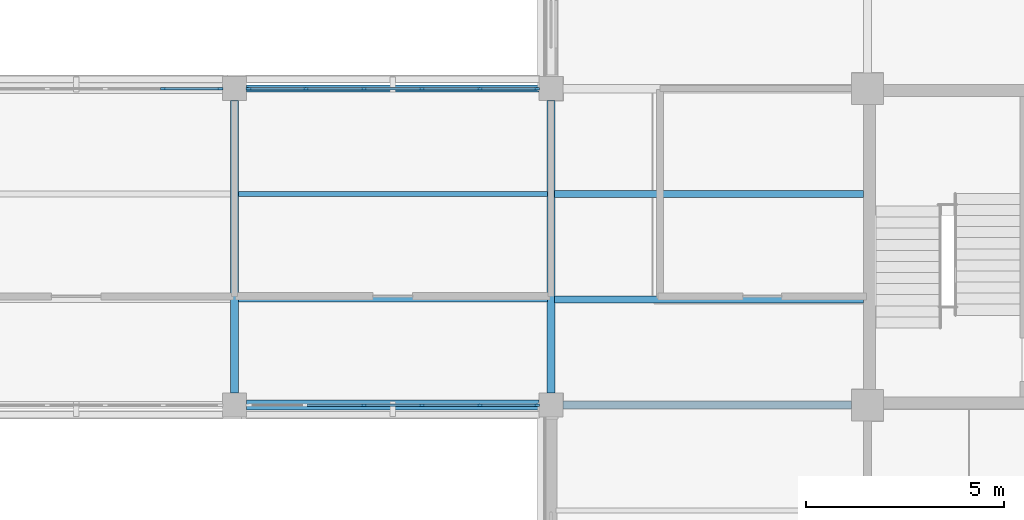
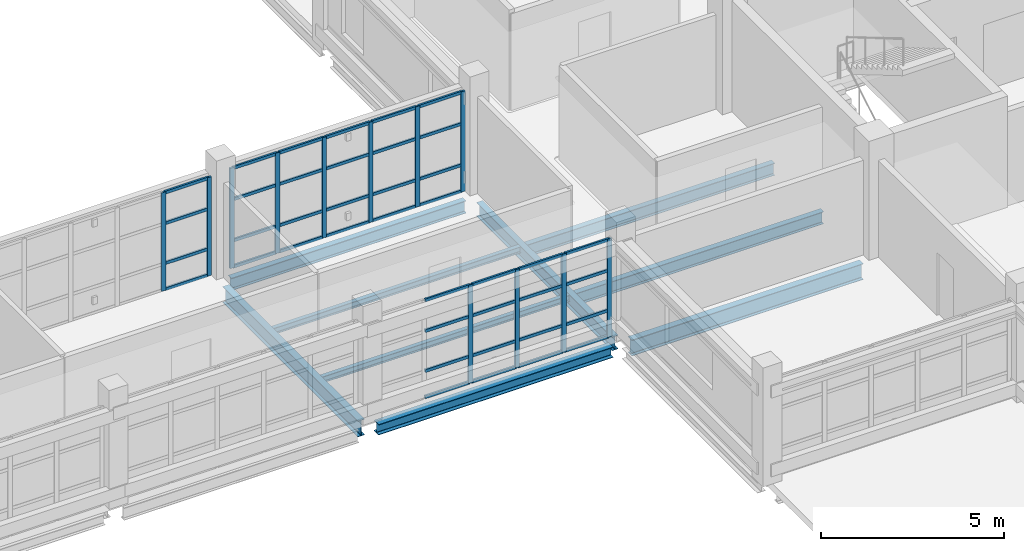
# One storey, part 21 of 126: 52 members, 9 beams, 3 elements without a shape of their own.
"""IFC4 building model written with IfcOpenShell, lengths in metres."""

from ifc_helpers import new_model, si_unit, derived_unit, direction, frame, origin, origin_2d, place, context, subcontext, project, spatial, rectangle, i_section, extrude, material, layer, layer_set, material_profile, profile_set, type_object, element, aggregate, save


model = new_model("IFC4")

# Units and contexts
model_context = context("Model", 3, precision=1e-05, world=origin(), true_north=direction((0.0, 1.0)))
body_context = subcontext(model_context, "Body", "Model", "MODEL_VIEW")
ifc_project = project(units=[si_unit("LENGTHUNIT", "METRE"), si_unit("AREAUNIT", "SQUARE_METRE"), si_unit("VOLUMEUNIT", "CUBIC_METRE"), si_unit("PLANEANGLEUNIT", "RADIAN"), si_unit("MASSUNIT", "GRAM", prefix="KILO"), derived_unit("THERMALTRANSMITTANCEUNIT", [(si_unit("MASSUNIT", "GRAM", prefix="KILO"), 1), (si_unit("TIMEUNIT", "SECOND"), -3), (si_unit("THERMODYNAMICTEMPERATUREUNIT", "KELVIN"), -1)])], contexts=[model_context])

# Site, building, storey
site_placement = place(None, origin())
site = spatial("IfcSite", under=ifc_project, at=site_placement, CompositionType="ELEMENT")
building_placement = place(site_placement, origin())
building = spatial("IfcBuilding", under=site, at=building_placement, Name="Veyamyaing Civic Hall", CompositionType="ELEMENT")
storey_placement = place(building_placement, frame((0.0, 0.0, 9.89990234375)))
storey = spatial("IfcBuildingStorey", under=building, at=storey_placement, Name="L02", CompositionType="ELEMENT", Elevation=9.89990234375)

# Beams
ifc_material_1 = material(Name="Steel ASTM A992", Category="steel")
ifc_material_profile_1 = material_profile(ifc_material_1, i_section(OverallWidth=0.208984375, OverallDepth=0.532958984375, WebThickness=0.01025390625, FlangeThickness=0.015625, FilletRadius=0.011962890625, at=origin_2d()), Name="W530X92")
ifc_profile_set_1 = profile_set([ifc_material_profile_1], Name="Steel ASTM A992")
beam_type_1 = type_object("IfcBeamType", Name="B-07", PredefinedType="BEAM", material=ifc_profile_set_1)
beam_1_placement = place(storey_placement, frame((56.300048828125, 48.0, -0.551513671875), z_axis=(1.0, 0.0, 0.0), x_axis=(0.0, 1.0, 0.0)))
element("IfcBeam", 1, at=beam_1_placement, inside=storey, type_object=beam_type_1, Name="Girder B-07 L02 Grid G 8-9", PredefinedType="BEAM", context=body_context, shape_type="SweptSolid", body=[
    extrude(i_section(OverallWidth=0.208984375, OverallDepth=0.532958984375, WebThickness=0.01025390625, FlangeThickness=0.015625, FilletRadius=0.011962890625, at=origin_2d()), origin(), (0.0, 0.0, 1.0), 7.300048828125),
])
beam_2_placement = place(storey_placement, frame((48.0, 48.300048828125, -0.551513671875), z_axis=(0.0, 1.0, 0.0), x_axis=(-1.0, 0.0, 0.0)))
element("IfcBeam", 2, at=beam_2_placement, inside=storey, type_object=beam_type_1, Name="Girder B-07 L02 Grid 7 G-H", PredefinedType="BEAM", context=body_context, shape_type="SweptSolid", body=[
    extrude(i_section(OverallWidth=0.208984375, OverallDepth=0.532958984375, WebThickness=0.01025390625, FlangeThickness=0.015625, FilletRadius=0.011962890625, at=origin_2d()), origin(), (0.0, 0.0, 1.0), 7.39990234375),
])
ifc_material_profile_2 = material_profile(ifc_material_1, i_section(OverallWidth=0.19189453125, OverallDepth=0.462890625, WebThickness=0.010498046875, FlangeThickness=0.017578125, FilletRadius=0.010009765625, at=origin_2d()), Name="W460X89")
ifc_profile_set_2 = profile_set([ifc_material_profile_2], Name="Steel ASTM A992")
beam_type_2 = type_object("IfcBeamType", Name="B-08", PredefinedType="BEAM", material=ifc_profile_set_2)
beam_3_placement = place(storey_placement, frame((56.0, 48.300048828125, -0.516357421875), z_axis=(0.0, 1.0, 0.0), x_axis=(-1.0, 0.0, 0.0)))
element("IfcBeam", 3, at=beam_3_placement, inside=storey, type_object=beam_type_2, Name="Girder B-08 L02 Grid 8 G-H", PredefinedType="BEAM", context=body_context, shape_type="SweptSolid", body=[
    extrude(i_section(OverallWidth=0.19189453125, OverallDepth=0.462890625, WebThickness=0.010498046875, FlangeThickness=0.017578125, FilletRadius=0.010009765625, at=origin_2d()), origin(), (0.0, 0.0, 1.0), 7.39990234375),
])
ifc_material_profile_3 = material_profile(ifc_material_1, i_section(OverallWidth=0.179931640625, OverallDepth=0.4130859375, WebThickness=0.009765625, FlangeThickness=0.01611328125, FilletRadius=0.010009765625, at=origin_2d()), Name="W410X74")
ifc_profile_set_3 = profile_set([ifc_material_profile_3], Name="Steel ASTM A992")
beam_type_3 = type_object("IfcBeamType", Name="B-10", PredefinedType="SPANDREL", material=ifc_profile_set_3)
beam_4_placement = place(storey_placement, frame((48.300048828125, 56.0, -0.491455078125), z_axis=(1.0, 0.0, 0.0), x_axis=(0.0, 1.0, 0.0)))
element("IfcBeam", 4, at=beam_4_placement, inside=storey, type_object=beam_type_3, Name="Girder B-10 L02 Grid H 7-8", PredefinedType="SPANDREL", context=body_context, shape_type="SweptSolid", body=[
    extrude(i_section(OverallWidth=0.179931640625, OverallDepth=0.4130859375, WebThickness=0.009765625, FlangeThickness=0.01611328125, FilletRadius=0.010009765625, at=origin_2d()), origin(), (0.0, 0.0, 1.0), 7.39990234375),
])
ifc_material_profile_4 = material_profile(ifc_material_1, i_section(OverallWidth=0.25390625, OverallDepth=0.35302734375, WebThickness=0.009521484375, FlangeThickness=0.016357421875, FilletRadius=0.011962890625, at=origin_2d()), Name="W360X91")
ifc_profile_set_4 = profile_set([ifc_material_profile_4], Name="Steel ASTM A992")
beam_type_4 = type_object("IfcBeamType", Name="B-20", PredefinedType="SPANDREL", material=ifc_profile_set_4)
beam_5_placement = place(storey_placement, frame((48.300048828125, 48.0, -0.46142578125), z_axis=(1.0, 0.0, 0.0), x_axis=(0.0, 1.0, 0.0)))
element("IfcBeam", 5, at=beam_5_placement, inside=storey, type_object=beam_type_4, Name="Girder B-20 L02 Grid G 7-8", PredefinedType="SPANDREL", context=body_context, shape_type="SweptSolid", body=[
    extrude(i_section(OverallWidth=0.25390625, OverallDepth=0.35302734375, WebThickness=0.009521484375, FlangeThickness=0.016357421875, FilletRadius=0.011962890625, at=origin_2d()), origin(), (0.0, 0.0, 1.0), 7.39990234375),
])

# Curtain wall, members
ifc_material_2 = material(Name="Anodised aluminium 6063-T6", Category="aluminium")
ifc_layer = layer(ifc_material_2, 0.139892578125, Name="Anodised aluminium 6063-T6")
ifc_layer_set = layer_set([ifc_layer], Name="Anodised aluminium 6063-T6")
curtain_wall_type = type_object("IfcCurtainWallType", Name="CW-04", PredefinedType="NOTDEFINED", material=ifc_layer_set)
curtain_wall_1_placement = place(storey_placement, origin())
curtain_wall_1 = element("IfcCurtainWall", 6, at=curtain_wall_1_placement, inside=storey, type_object=curtain_wall_type, Name="Unitized curtain wall CW-04 L02 N 6.7", PredefinedType="NOTDEFINED")
ifc_material_profile_5 = material_profile(ifc_material_2, rectangle(XDim=0.06005859375, YDim=0.139892578125, at=origin_2d()), Name="ALU-MUL-60X140")
ifc_profile_set_5 = profile_set([ifc_material_profile_5], Name="Anodised aluminium 6063-T6")
member_type_1 = type_object("IfcMemberType", Name="CWM-03", PredefinedType="MULLION", material=ifc_profile_set_5)
member_1_placement = place(storey_placement, frame((46.201904296875, 56.0, 0.0), z_axis=(0.0, 0.0, 1.0), x_axis=(0.0, 1.0, 0.0)))
member_1 = element("IfcMember", 7, at=member_1_placement, type_object=member_type_1, Name="CW-04 mullion 5", PredefinedType="MULLION", context=body_context, shape_type="SweptSolid", body=[
    extrude(rectangle(XDim=0.06005859375, YDim=0.139892578125, at=origin_2d()), origin(), (0.0, 0.0, 1.0), 3.2841796875),
])
member_2_placement = place(storey_placement, frame((47.639892578125, 56.0, 0.0), z_axis=(0.0, 0.0, 1.0), x_axis=(0.0, 1.0, 0.0)))
member_2 = element("IfcMember", 8, at=member_2_placement, type_object=member_type_1, Name="CW-04 mullion 6", PredefinedType="MULLION", context=body_context, shape_type="SweptSolid", body=[
    extrude(rectangle(XDim=0.06005859375, YDim=0.139892578125, at=origin_2d()), origin(), (0.0, 0.0, 1.0), 3.2841796875),
])

curtain_wall_2_placement = place(storey_placement, origin())
curtain_wall_2 = element("IfcCurtainWall", 9, at=curtain_wall_2_placement, inside=storey, type_object=curtain_wall_type, Name="Unitized curtain wall CW-04 L02 S 7.7", PredefinedType="NOTDEFINED")
member_3_placement = place(storey_placement, frame((51.26611328125, 48.0, 0.0), z_axis=(0.0, 0.0, 1.0), x_axis=(0.0, 1.0, 0.0)))
member_3 = element("IfcMember", 10, at=member_3_placement, type_object=member_type_1, Name="CW-04 mullion 3", PredefinedType="MULLION", context=body_context, shape_type="SweptSolid", body=[
    extrude(rectangle(XDim=0.06005859375, YDim=0.139892578125, at=origin_2d()), origin(), (0.0, 0.0, 1.0), 3.2841796875),
])
member_4_placement = place(storey_placement, frame((52.73388671875, 48.0, 0.0), z_axis=(0.0, 0.0, 1.0), x_axis=(0.0, 1.0, 0.0)))
member_4 = element("IfcMember", 11, at=member_4_placement, type_object=member_type_1, Name="CW-04 mullion 4", PredefinedType="MULLION", context=body_context, shape_type="SweptSolid", body=[
    extrude(rectangle(XDim=0.06005859375, YDim=0.139892578125, at=origin_2d()), origin(), (0.0, 0.0, 1.0), 3.2841796875),
])
member_5_placement = place(storey_placement, frame((54.201904296875, 48.0, 0.0), z_axis=(0.0, 0.0, 1.0), x_axis=(0.0, 1.0, 0.0)))
member_5 = element("IfcMember", 12, at=member_5_placement, type_object=member_type_1, Name="CW-04 mullion 5", PredefinedType="MULLION", context=body_context, shape_type="SweptSolid", body=[
    extrude(rectangle(XDim=0.06005859375, YDim=0.139892578125, at=origin_2d()), origin(), (0.0, 0.0, 1.0), 3.2841796875),
])
member_6_placement = place(storey_placement, frame((55.639892578125, 48.0, 0.0), z_axis=(0.0, 0.0, 1.0), x_axis=(0.0, 1.0, 0.0)))
member_6 = element("IfcMember", 13, at=member_6_placement, type_object=member_type_1, Name="CW-04 mullion 6", PredefinedType="MULLION", context=body_context, shape_type="SweptSolid", body=[
    extrude(rectangle(XDim=0.06005859375, YDim=0.139892578125, at=origin_2d()), origin(), (0.0, 0.0, 1.0), 3.2841796875),
])

curtain_wall_3_placement = place(storey_placement, origin())
curtain_wall_3 = element("IfcCurtainWall", 14, at=curtain_wall_3_placement, inside=storey, type_object=curtain_wall_type, Name="Unitized curtain wall CW-04 L02 N 7.7", PredefinedType="NOTDEFINED")
member_7_placement = place(storey_placement, frame((48.360107421875, 56.0, 0.0), z_axis=(0.0, 0.0, 1.0), x_axis=(0.0, 1.0, 0.0)))
member_7 = element("IfcMember", 15, at=member_7_placement, type_object=member_type_1, Name="CW-04 mullion 1", PredefinedType="MULLION", context=body_context, shape_type="SweptSolid", body=[
    extrude(rectangle(XDim=0.06005859375, YDim=0.139892578125, at=origin_2d()), origin(), (0.0, 0.0, 1.0), 3.34716796875),
])
member_8_placement = place(storey_placement, frame((49.798095703125, 56.0, 0.0), z_axis=(0.0, 0.0, 1.0), x_axis=(0.0, 1.0, 0.0)))
member_8 = element("IfcMember", 16, at=member_8_placement, type_object=member_type_1, Name="CW-04 mullion 2", PredefinedType="MULLION", context=body_context, shape_type="SweptSolid", body=[
    extrude(rectangle(XDim=0.06005859375, YDim=0.139892578125, at=origin_2d()), origin(), (0.0, 0.0, 1.0), 3.34716796875),
])
member_9_placement = place(storey_placement, frame((51.26611328125, 56.0, 0.0), z_axis=(0.0, 0.0, 1.0), x_axis=(0.0, 1.0, 0.0)))
member_9 = element("IfcMember", 17, at=member_9_placement, type_object=member_type_1, Name="CW-04 mullion 3", PredefinedType="MULLION", context=body_context, shape_type="SweptSolid", body=[
    extrude(rectangle(XDim=0.06005859375, YDim=0.139892578125, at=origin_2d()), origin(), (0.0, 0.0, 1.0), 3.34716796875),
])
member_10_placement = place(storey_placement, frame((52.73388671875, 56.0, 0.0), z_axis=(0.0, 0.0, 1.0), x_axis=(0.0, 1.0, 0.0)))
member_10 = element("IfcMember", 18, at=member_10_placement, type_object=member_type_1, Name="CW-04 mullion 4", PredefinedType="MULLION", context=body_context, shape_type="SweptSolid", body=[
    extrude(rectangle(XDim=0.06005859375, YDim=0.139892578125, at=origin_2d()), origin(), (0.0, 0.0, 1.0), 3.34716796875),
])
member_11_placement = place(storey_placement, frame((54.201904296875, 56.0, 0.0), z_axis=(0.0, 0.0, 1.0), x_axis=(0.0, 1.0, 0.0)))
member_11 = element("IfcMember", 19, at=member_11_placement, type_object=member_type_1, Name="CW-04 mullion 5", PredefinedType="MULLION", context=body_context, shape_type="SweptSolid", body=[
    extrude(rectangle(XDim=0.06005859375, YDim=0.139892578125, at=origin_2d()), origin(), (0.0, 0.0, 1.0), 3.34716796875),
])
member_12_placement = place(storey_placement, frame((55.639892578125, 56.0, 0.0), z_axis=(0.0, 0.0, 1.0), x_axis=(0.0, 1.0, 0.0)))
member_12 = element("IfcMember", 20, at=member_12_placement, type_object=member_type_1, Name="CW-04 mullion 6", PredefinedType="MULLION", context=body_context, shape_type="SweptSolid", body=[
    extrude(rectangle(XDim=0.06005859375, YDim=0.139892578125, at=origin_2d()), origin(), (0.0, 0.0, 1.0), 3.34716796875),
])

# Member
ifc_material_profile_6 = material_profile(ifc_material_2, rectangle(XDim=0.06005859375, YDim=0.10009765625, at=origin_2d()), Name="ALU-TRN-60X100")
ifc_profile_set_6 = profile_set([ifc_material_profile_6], Name="Anodised aluminium 6063-T6")
member_type_2 = type_object("IfcMemberType", Name="CWT-03", PredefinedType="USERDEFINED", material=ifc_profile_set_6)
member_13_placement = place(storey_placement, frame((46.23193359375, 56.0, 0.030029296875), z_axis=(1.0, 0.0, 0.0), x_axis=(0.0, 1.0, 0.0)))
member_13 = element("IfcMember", 21, at=member_13_placement, type_object=member_type_2, Name="CW-04 transom 5.1", ObjectType="TRANSOM", PredefinedType="USERDEFINED", context=body_context, shape_type="SweptSolid", body=[
    extrude(rectangle(XDim=0.06005859375, YDim=0.10009765625, at=origin_2d()), origin(), (0.0, 0.0, 1.0), 1.378173828125),
])

member_14_placement = place(storey_placement, frame((46.23193359375, 56.0, 0.900146484375), z_axis=(1.0, 0.0, 0.0), x_axis=(0.0, 1.0, 0.0)))
member_14 = element("IfcMember", 22, at=member_14_placement, type_object=member_type_2, Name="CW-04 transom 5.2", ObjectType="TRANSOM", PredefinedType="USERDEFINED", context=body_context, shape_type="SweptSolid", body=[
    extrude(rectangle(XDim=0.06005859375, YDim=0.10009765625, at=origin_2d()), origin(), (0.0, 0.0, 1.0), 1.378173828125),
])

member_15_placement = place(storey_placement, frame((46.23193359375, 56.0, 2.233154296875), z_axis=(1.0, 0.0, 0.0), x_axis=(0.0, 1.0, 0.0)))
member_15 = element("IfcMember", 23, at=member_15_placement, type_object=member_type_2, Name="CW-04 transom 5.3", ObjectType="TRANSOM", PredefinedType="USERDEFINED", context=body_context, shape_type="SweptSolid", body=[
    extrude(rectangle(XDim=0.06005859375, YDim=0.10009765625, at=origin_2d()), origin(), (0.0, 0.0, 1.0), 1.378173828125),
])

member_16_placement = place(storey_placement, frame((46.23193359375, 56.0, 3.254150390625), z_axis=(1.0, 0.0, 0.0), x_axis=(0.0, 1.0, 0.0)))
member_16 = element("IfcMember", 24, at=member_16_placement, type_object=member_type_2, Name="CW-04 transom 5.4", ObjectType="TRANSOM", PredefinedType="USERDEFINED", context=body_context, shape_type="SweptSolid", body=[
    extrude(rectangle(XDim=0.06005859375, YDim=0.10009765625, at=origin_2d()), origin(), (0.0, 0.0, 1.0), 1.378173828125),
])

aggregate(curtain_wall_1, [member_1, member_2, member_13, member_14, member_15, member_16])

member_17_placement = place(storey_placement, frame((49.827880859375, 48.0, 0.030029296875), z_axis=(1.0, 0.0, 0.0), x_axis=(0.0, 1.0, 0.0)))
member_17 = element("IfcMember", 25, at=member_17_placement, type_object=member_type_2, Name="CW-04 transom 2.1", ObjectType="TRANSOM", PredefinedType="USERDEFINED", context=body_context, shape_type="SweptSolid", body=[
    extrude(rectangle(XDim=0.06005859375, YDim=0.10009765625, at=origin_2d()), origin(), (0.0, 0.0, 1.0), 1.408203125),
])

member_18_placement = place(storey_placement, frame((49.827880859375, 48.0, 0.900146484375), z_axis=(1.0, 0.0, 0.0), x_axis=(0.0, 1.0, 0.0)))
member_18 = element("IfcMember", 26, at=member_18_placement, type_object=member_type_2, Name="CW-04 transom 2.2", ObjectType="TRANSOM", PredefinedType="USERDEFINED", context=body_context, shape_type="SweptSolid", body=[
    extrude(rectangle(XDim=0.06005859375, YDim=0.10009765625, at=origin_2d()), origin(), (0.0, 0.0, 1.0), 1.408203125),
])

member_19_placement = place(storey_placement, frame((49.827880859375, 48.0, 2.233154296875), z_axis=(1.0, 0.0, 0.0), x_axis=(0.0, 1.0, 0.0)))
member_19 = element("IfcMember", 27, at=member_19_placement, type_object=member_type_2, Name="CW-04 transom 2.3", ObjectType="TRANSOM", PredefinedType="USERDEFINED", context=body_context, shape_type="SweptSolid", body=[
    extrude(rectangle(XDim=0.06005859375, YDim=0.10009765625, at=origin_2d()), origin(), (0.0, 0.0, 1.0), 1.408203125),
])

member_20_placement = place(storey_placement, frame((49.827880859375, 48.0, 3.254150390625), z_axis=(1.0, 0.0, 0.0), x_axis=(0.0, 1.0, 0.0)))
member_20 = element("IfcMember", 28, at=member_20_placement, type_object=member_type_2, Name="CW-04 transom 2.4", ObjectType="TRANSOM", PredefinedType="USERDEFINED", context=body_context, shape_type="SweptSolid", body=[
    extrude(rectangle(XDim=0.06005859375, YDim=0.10009765625, at=origin_2d()), origin(), (0.0, 0.0, 1.0), 1.408203125),
])

member_21_placement = place(storey_placement, frame((51.2958984375, 48.0, 0.030029296875), z_axis=(1.0, 0.0, 0.0), x_axis=(0.0, 1.0, 0.0)))
member_21 = element("IfcMember", 29, at=member_21_placement, type_object=member_type_2, Name="CW-04 transom 3.1", ObjectType="TRANSOM", PredefinedType="USERDEFINED", context=body_context, shape_type="SweptSolid", body=[
    extrude(rectangle(XDim=0.06005859375, YDim=0.10009765625, at=origin_2d()), origin(), (0.0, 0.0, 1.0), 1.408203125),
])

member_22_placement = place(storey_placement, frame((51.2958984375, 48.0, 0.900146484375), z_axis=(1.0, 0.0, 0.0), x_axis=(0.0, 1.0, 0.0)))
member_22 = element("IfcMember", 30, at=member_22_placement, type_object=member_type_2, Name="CW-04 transom 3.2", ObjectType="TRANSOM", PredefinedType="USERDEFINED", context=body_context, shape_type="SweptSolid", body=[
    extrude(rectangle(XDim=0.06005859375, YDim=0.10009765625, at=origin_2d()), origin(), (0.0, 0.0, 1.0), 1.408203125),
])

member_23_placement = place(storey_placement, frame((51.2958984375, 48.0, 2.233154296875), z_axis=(1.0, 0.0, 0.0), x_axis=(0.0, 1.0, 0.0)))
member_23 = element("IfcMember", 31, at=member_23_placement, type_object=member_type_2, Name="CW-04 transom 3.3", ObjectType="TRANSOM", PredefinedType="USERDEFINED", context=body_context, shape_type="SweptSolid", body=[
    extrude(rectangle(XDim=0.06005859375, YDim=0.10009765625, at=origin_2d()), origin(), (0.0, 0.0, 1.0), 1.408203125),
])

member_24_placement = place(storey_placement, frame((51.2958984375, 48.0, 3.254150390625), z_axis=(1.0, 0.0, 0.0), x_axis=(0.0, 1.0, 0.0)))
member_24 = element("IfcMember", 32, at=member_24_placement, type_object=member_type_2, Name="CW-04 transom 3.4", ObjectType="TRANSOM", PredefinedType="USERDEFINED", context=body_context, shape_type="SweptSolid", body=[
    extrude(rectangle(XDim=0.06005859375, YDim=0.10009765625, at=origin_2d()), origin(), (0.0, 0.0, 1.0), 1.408203125),
])

member_25_placement = place(storey_placement, frame((52.763916015625, 48.0, 0.030029296875), z_axis=(1.0, 0.0, 0.0), x_axis=(0.0, 1.0, 0.0)))
member_25 = element("IfcMember", 33, at=member_25_placement, type_object=member_type_2, Name="CW-04 transom 4.1", ObjectType="TRANSOM", PredefinedType="USERDEFINED", context=body_context, shape_type="SweptSolid", body=[
    extrude(rectangle(XDim=0.06005859375, YDim=0.10009765625, at=origin_2d()), origin(), (0.0, 0.0, 1.0), 1.408203125),
])

member_26_placement = place(storey_placement, frame((52.763916015625, 48.0, 0.900146484375), z_axis=(1.0, 0.0, 0.0), x_axis=(0.0, 1.0, 0.0)))
member_26 = element("IfcMember", 34, at=member_26_placement, type_object=member_type_2, Name="CW-04 transom 4.2", ObjectType="TRANSOM", PredefinedType="USERDEFINED", context=body_context, shape_type="SweptSolid", body=[
    extrude(rectangle(XDim=0.06005859375, YDim=0.10009765625, at=origin_2d()), origin(), (0.0, 0.0, 1.0), 1.408203125),
])

member_27_placement = place(storey_placement, frame((52.763916015625, 48.0, 2.233154296875), z_axis=(1.0, 0.0, 0.0), x_axis=(0.0, 1.0, 0.0)))
member_27 = element("IfcMember", 35, at=member_27_placement, type_object=member_type_2, Name="CW-04 transom 4.3", ObjectType="TRANSOM", PredefinedType="USERDEFINED", context=body_context, shape_type="SweptSolid", body=[
    extrude(rectangle(XDim=0.06005859375, YDim=0.10009765625, at=origin_2d()), origin(), (0.0, 0.0, 1.0), 1.408203125),
])

member_28_placement = place(storey_placement, frame((52.763916015625, 48.0, 3.254150390625), z_axis=(1.0, 0.0, 0.0), x_axis=(0.0, 1.0, 0.0)))
member_28 = element("IfcMember", 36, at=member_28_placement, type_object=member_type_2, Name="CW-04 transom 4.4", ObjectType="TRANSOM", PredefinedType="USERDEFINED", context=body_context, shape_type="SweptSolid", body=[
    extrude(rectangle(XDim=0.06005859375, YDim=0.10009765625, at=origin_2d()), origin(), (0.0, 0.0, 1.0), 1.408203125),
])

member_29_placement = place(storey_placement, frame((54.23193359375, 48.0, 0.030029296875), z_axis=(1.0, 0.0, 0.0), x_axis=(0.0, 1.0, 0.0)))
member_29 = element("IfcMember", 37, at=member_29_placement, type_object=member_type_2, Name="CW-04 transom 5.1", ObjectType="TRANSOM", PredefinedType="USERDEFINED", context=body_context, shape_type="SweptSolid", body=[
    extrude(rectangle(XDim=0.06005859375, YDim=0.10009765625, at=origin_2d()), origin(), (0.0, 0.0, 1.0), 1.378173828125),
])

member_30_placement = place(storey_placement, frame((54.23193359375, 48.0, 0.900146484375), z_axis=(1.0, 0.0, 0.0), x_axis=(0.0, 1.0, 0.0)))
member_30 = element("IfcMember", 38, at=member_30_placement, type_object=member_type_2, Name="CW-04 transom 5.2", ObjectType="TRANSOM", PredefinedType="USERDEFINED", context=body_context, shape_type="SweptSolid", body=[
    extrude(rectangle(XDim=0.06005859375, YDim=0.10009765625, at=origin_2d()), origin(), (0.0, 0.0, 1.0), 1.378173828125),
])

member_31_placement = place(storey_placement, frame((54.23193359375, 48.0, 2.233154296875), z_axis=(1.0, 0.0, 0.0), x_axis=(0.0, 1.0, 0.0)))
member_31 = element("IfcMember", 39, at=member_31_placement, type_object=member_type_2, Name="CW-04 transom 5.3", ObjectType="TRANSOM", PredefinedType="USERDEFINED", context=body_context, shape_type="SweptSolid", body=[
    extrude(rectangle(XDim=0.06005859375, YDim=0.10009765625, at=origin_2d()), origin(), (0.0, 0.0, 1.0), 1.378173828125),
])

member_32_placement = place(storey_placement, frame((54.23193359375, 48.0, 3.254150390625), z_axis=(1.0, 0.0, 0.0), x_axis=(0.0, 1.0, 0.0)))
member_32 = element("IfcMember", 40, at=member_32_placement, type_object=member_type_2, Name="CW-04 transom 5.4", ObjectType="TRANSOM", PredefinedType="USERDEFINED", context=body_context, shape_type="SweptSolid", body=[
    extrude(rectangle(XDim=0.06005859375, YDim=0.10009765625, at=origin_2d()), origin(), (0.0, 0.0, 1.0), 1.378173828125),
])

aggregate(curtain_wall_2, [member_3, member_4, member_5, member_6, member_17, member_18, member_19, member_20, member_21, member_22, member_23, member_24, member_25, member_26, member_27, member_28, member_29, member_30, member_31, member_32])

member_33_placement = place(storey_placement, frame((48.389892578125, 56.0, 0.030029296875), z_axis=(1.0, 0.0, 0.0), x_axis=(0.0, 1.0, 0.0)))
member_33 = element("IfcMember", 41, at=member_33_placement, type_object=member_type_2, Name="CW-04 transom 1.1", ObjectType="TRANSOM", PredefinedType="USERDEFINED", context=body_context, shape_type="SweptSolid", body=[
    extrude(rectangle(XDim=0.06005859375, YDim=0.10009765625, at=origin_2d()), origin(), (0.0, 0.0, 1.0), 1.378173828125),
])

member_34_placement = place(storey_placement, frame((48.389892578125, 56.0, 0.900146484375), z_axis=(1.0, 0.0, 0.0), x_axis=(0.0, 1.0, 0.0)))
member_34 = element("IfcMember", 42, at=member_34_placement, type_object=member_type_2, Name="CW-04 transom 1.2", ObjectType="TRANSOM", PredefinedType="USERDEFINED", context=body_context, shape_type="SweptSolid", body=[
    extrude(rectangle(XDim=0.06005859375, YDim=0.10009765625, at=origin_2d()), origin(), (0.0, 0.0, 1.0), 1.378173828125),
])

member_35_placement = place(storey_placement, frame((48.389892578125, 56.0, 2.276123046875), z_axis=(1.0, 0.0, 0.0), x_axis=(0.0, 1.0, 0.0)))
member_35 = element("IfcMember", 43, at=member_35_placement, type_object=member_type_2, Name="CW-04 transom 1.3", ObjectType="TRANSOM", PredefinedType="USERDEFINED", context=body_context, shape_type="SweptSolid", body=[
    extrude(rectangle(XDim=0.06005859375, YDim=0.10009765625, at=origin_2d()), origin(), (0.0, 0.0, 1.0), 1.378173828125),
])

member_36_placement = place(storey_placement, frame((48.389892578125, 56.0, 3.317138671875), z_axis=(1.0, 0.0, 0.0), x_axis=(0.0, 1.0, 0.0)))
member_36 = element("IfcMember", 44, at=member_36_placement, type_object=member_type_2, Name="CW-04 transom 1.4", ObjectType="TRANSOM", PredefinedType="USERDEFINED", context=body_context, shape_type="SweptSolid", body=[
    extrude(rectangle(XDim=0.06005859375, YDim=0.10009765625, at=origin_2d()), origin(), (0.0, 0.0, 1.0), 1.378173828125),
])

member_37_placement = place(storey_placement, frame((49.827880859375, 56.0, 0.030029296875), z_axis=(1.0, 0.0, 0.0), x_axis=(0.0, 1.0, 0.0)))
member_37 = element("IfcMember", 45, at=member_37_placement, type_object=member_type_2, Name="CW-04 transom 2.1", ObjectType="TRANSOM", PredefinedType="USERDEFINED", context=body_context, shape_type="SweptSolid", body=[
    extrude(rectangle(XDim=0.06005859375, YDim=0.10009765625, at=origin_2d()), origin(), (0.0, 0.0, 1.0), 1.408203125),
])

member_38_placement = place(storey_placement, frame((49.827880859375, 56.0, 0.900146484375), z_axis=(1.0, 0.0, 0.0), x_axis=(0.0, 1.0, 0.0)))
member_38 = element("IfcMember", 46, at=member_38_placement, type_object=member_type_2, Name="CW-04 transom 2.2", ObjectType="TRANSOM", PredefinedType="USERDEFINED", context=body_context, shape_type="SweptSolid", body=[
    extrude(rectangle(XDim=0.06005859375, YDim=0.10009765625, at=origin_2d()), origin(), (0.0, 0.0, 1.0), 1.408203125),
])

member_39_placement = place(storey_placement, frame((49.827880859375, 56.0, 2.276123046875), z_axis=(1.0, 0.0, 0.0), x_axis=(0.0, 1.0, 0.0)))
member_39 = element("IfcMember", 47, at=member_39_placement, type_object=member_type_2, Name="CW-04 transom 2.3", ObjectType="TRANSOM", PredefinedType="USERDEFINED", context=body_context, shape_type="SweptSolid", body=[
    extrude(rectangle(XDim=0.06005859375, YDim=0.10009765625, at=origin_2d()), origin(), (0.0, 0.0, 1.0), 1.408203125),
])

member_40_placement = place(storey_placement, frame((49.827880859375, 56.0, 3.317138671875), z_axis=(1.0, 0.0, 0.0), x_axis=(0.0, 1.0, 0.0)))
member_40 = element("IfcMember", 48, at=member_40_placement, type_object=member_type_2, Name="CW-04 transom 2.4", ObjectType="TRANSOM", PredefinedType="USERDEFINED", context=body_context, shape_type="SweptSolid", body=[
    extrude(rectangle(XDim=0.06005859375, YDim=0.10009765625, at=origin_2d()), origin(), (0.0, 0.0, 1.0), 1.408203125),
])

member_41_placement = place(storey_placement, frame((51.2958984375, 56.0, 0.030029296875), z_axis=(1.0, 0.0, 0.0), x_axis=(0.0, 1.0, 0.0)))
member_41 = element("IfcMember", 49, at=member_41_placement, type_object=member_type_2, Name="CW-04 transom 3.1", ObjectType="TRANSOM", PredefinedType="USERDEFINED", context=body_context, shape_type="SweptSolid", body=[
    extrude(rectangle(XDim=0.06005859375, YDim=0.10009765625, at=origin_2d()), origin(), (0.0, 0.0, 1.0), 1.408203125),
])

member_42_placement = place(storey_placement, frame((51.2958984375, 56.0, 0.900146484375), z_axis=(1.0, 0.0, 0.0), x_axis=(0.0, 1.0, 0.0)))
member_42 = element("IfcMember", 50, at=member_42_placement, type_object=member_type_2, Name="CW-04 transom 3.2", ObjectType="TRANSOM", PredefinedType="USERDEFINED", context=body_context, shape_type="SweptSolid", body=[
    extrude(rectangle(XDim=0.06005859375, YDim=0.10009765625, at=origin_2d()), origin(), (0.0, 0.0, 1.0), 1.408203125),
])

member_43_placement = place(storey_placement, frame((51.2958984375, 56.0, 2.276123046875), z_axis=(1.0, 0.0, 0.0), x_axis=(0.0, 1.0, 0.0)))
member_43 = element("IfcMember", 51, at=member_43_placement, type_object=member_type_2, Name="CW-04 transom 3.3", ObjectType="TRANSOM", PredefinedType="USERDEFINED", context=body_context, shape_type="SweptSolid", body=[
    extrude(rectangle(XDim=0.06005859375, YDim=0.10009765625, at=origin_2d()), origin(), (0.0, 0.0, 1.0), 1.408203125),
])

member_44_placement = place(storey_placement, frame((51.2958984375, 56.0, 3.317138671875), z_axis=(1.0, 0.0, 0.0), x_axis=(0.0, 1.0, 0.0)))
member_44 = element("IfcMember", 52, at=member_44_placement, type_object=member_type_2, Name="CW-04 transom 3.4", ObjectType="TRANSOM", PredefinedType="USERDEFINED", context=body_context, shape_type="SweptSolid", body=[
    extrude(rectangle(XDim=0.06005859375, YDim=0.10009765625, at=origin_2d()), origin(), (0.0, 0.0, 1.0), 1.408203125),
])

member_45_placement = place(storey_placement, frame((52.763916015625, 56.0, 0.030029296875), z_axis=(1.0, 0.0, 0.0), x_axis=(0.0, 1.0, 0.0)))
member_45 = element("IfcMember", 53, at=member_45_placement, type_object=member_type_2, Name="CW-04 transom 4.1", ObjectType="TRANSOM", PredefinedType="USERDEFINED", context=body_context, shape_type="SweptSolid", body=[
    extrude(rectangle(XDim=0.06005859375, YDim=0.10009765625, at=origin_2d()), origin(), (0.0, 0.0, 1.0), 1.408203125),
])

member_46_placement = place(storey_placement, frame((52.763916015625, 56.0, 0.900146484375), z_axis=(1.0, 0.0, 0.0), x_axis=(0.0, 1.0, 0.0)))
member_46 = element("IfcMember", 54, at=member_46_placement, type_object=member_type_2, Name="CW-04 transom 4.2", ObjectType="TRANSOM", PredefinedType="USERDEFINED", context=body_context, shape_type="SweptSolid", body=[
    extrude(rectangle(XDim=0.06005859375, YDim=0.10009765625, at=origin_2d()), origin(), (0.0, 0.0, 1.0), 1.408203125),
])

member_47_placement = place(storey_placement, frame((52.763916015625, 56.0, 2.276123046875), z_axis=(1.0, 0.0, 0.0), x_axis=(0.0, 1.0, 0.0)))
member_47 = element("IfcMember", 55, at=member_47_placement, type_object=member_type_2, Name="CW-04 transom 4.3", ObjectType="TRANSOM", PredefinedType="USERDEFINED", context=body_context, shape_type="SweptSolid", body=[
    extrude(rectangle(XDim=0.06005859375, YDim=0.10009765625, at=origin_2d()), origin(), (0.0, 0.0, 1.0), 1.408203125),
])

member_48_placement = place(storey_placement, frame((52.763916015625, 56.0, 3.317138671875), z_axis=(1.0, 0.0, 0.0), x_axis=(0.0, 1.0, 0.0)))
member_48 = element("IfcMember", 56, at=member_48_placement, type_object=member_type_2, Name="CW-04 transom 4.4", ObjectType="TRANSOM", PredefinedType="USERDEFINED", context=body_context, shape_type="SweptSolid", body=[
    extrude(rectangle(XDim=0.06005859375, YDim=0.10009765625, at=origin_2d()), origin(), (0.0, 0.0, 1.0), 1.408203125),
])

member_49_placement = place(storey_placement, frame((54.23193359375, 56.0, 0.030029296875), z_axis=(1.0, 0.0, 0.0), x_axis=(0.0, 1.0, 0.0)))
member_49 = element("IfcMember", 57, at=member_49_placement, type_object=member_type_2, Name="CW-04 transom 5.1", ObjectType="TRANSOM", PredefinedType="USERDEFINED", context=body_context, shape_type="SweptSolid", body=[
    extrude(rectangle(XDim=0.06005859375, YDim=0.10009765625, at=origin_2d()), origin(), (0.0, 0.0, 1.0), 1.378173828125),
])

member_50_placement = place(storey_placement, frame((54.23193359375, 56.0, 0.900146484375), z_axis=(1.0, 0.0, 0.0), x_axis=(0.0, 1.0, 0.0)))
member_50 = element("IfcMember", 58, at=member_50_placement, type_object=member_type_2, Name="CW-04 transom 5.2", ObjectType="TRANSOM", PredefinedType="USERDEFINED", context=body_context, shape_type="SweptSolid", body=[
    extrude(rectangle(XDim=0.06005859375, YDim=0.10009765625, at=origin_2d()), origin(), (0.0, 0.0, 1.0), 1.378173828125),
])

member_51_placement = place(storey_placement, frame((54.23193359375, 56.0, 2.276123046875), z_axis=(1.0, 0.0, 0.0), x_axis=(0.0, 1.0, 0.0)))
member_51 = element("IfcMember", 59, at=member_51_placement, type_object=member_type_2, Name="CW-04 transom 5.3", ObjectType="TRANSOM", PredefinedType="USERDEFINED", context=body_context, shape_type="SweptSolid", body=[
    extrude(rectangle(XDim=0.06005859375, YDim=0.10009765625, at=origin_2d()), origin(), (0.0, 0.0, 1.0), 1.378173828125),
])

member_52_placement = place(storey_placement, frame((54.23193359375, 56.0, 3.317138671875), z_axis=(1.0, 0.0, 0.0), x_axis=(0.0, 1.0, 0.0)))
member_52 = element("IfcMember", 60, at=member_52_placement, type_object=member_type_2, Name="CW-04 transom 5.4", ObjectType="TRANSOM", PredefinedType="USERDEFINED", context=body_context, shape_type="SweptSolid", body=[
    extrude(rectangle(XDim=0.06005859375, YDim=0.10009765625, at=origin_2d()), origin(), (0.0, 0.0, 1.0), 1.378173828125),
])

aggregate(curtain_wall_3, [member_7, member_8, member_9, member_10, member_11, member_12, member_33, member_34, member_35, member_36, member_37, member_38, member_39, member_40, member_41, member_42, member_43, member_44, member_45, member_46, member_47, member_48, member_49, member_50, member_51, member_52])

# Beams
ifc_material_profile_7 = material_profile(ifc_material_1, i_section(OverallWidth=0.177978515625, OverallDepth=0.406982421875, WebThickness=0.0078125, FlangeThickness=0.0126953125, FilletRadius=0.010009765625, at=origin_2d()), Name="W410X60")
ifc_profile_set_7 = profile_set([ifc_material_profile_7], Name="Steel ASTM A992")
beam_type_5 = type_object("IfcBeamType", Name="J-01", PredefinedType="JOIST", material=ifc_profile_set_7)
for number, where, z_axis, x_axis, name in (
    (61, (56.093994140625, 50.666748046875, -0.48828125), (1.0, 0.0, 0.0), (0.0, 1.0, 0.0), "Composite floor joist J-01 L02 8.7.1"),
    (62, (56.093994140625, 53.333251953125, -0.48828125), (1.0, 0.0, 0.0), (0.0, 1.0, 0.0), "Composite floor joist J-01 L02 8.7.2"),
):
    element("IfcBeam", number, at=place(storey_placement, frame(where, z_axis=z_axis, x_axis=x_axis)), inside=storey, type_object=beam_type_5, Name=name, PredefinedType="JOIST", context=body_context, shape_type="SweptSolid", body=[
        extrude(i_section(OverallWidth=0.177978515625, OverallDepth=0.406982421875, WebThickness=0.0078125, FlangeThickness=0.0126953125, FilletRadius=0.010009765625, at=origin_2d()), origin(), (0.0, 0.0, 1.0), 7.802490234375),
    ])
ifc_material_profile_8 = material_profile(ifc_material_1, i_section(OverallWidth=0.133056640625, OverallDepth=0.20703125, WebThickness=0.005859375, FlangeThickness=0.00830078125, FilletRadius=0.010009765625, at=origin_2d()), Name="W200X27")
ifc_profile_set_8 = profile_set([ifc_material_profile_8], Name="Steel ASTM A992")
beam_type_6 = type_object("IfcBeamType", Name="J-08", PredefinedType="JOIST", material=ifc_profile_set_8)
for number, where, z_axis, x_axis, name in (
    (63, (48.1025390625, 50.666748046875, -0.388427734375), (1.0, 0.0, 0.0), (0.0, 1.0, 0.0), "Composite floor joist J-08 L02 7.7.1"),
    (64, (48.1025390625, 53.333251953125, -0.388427734375), (1.0, 0.0, 0.0), (0.0, 1.0, 0.0), "Composite floor joist J-08 L02 7.7.2"),
):
    element("IfcBeam", number, at=place(storey_placement, frame(where, z_axis=z_axis, x_axis=x_axis)), inside=storey, type_object=beam_type_6, Name=name, PredefinedType="JOIST", context=body_context, shape_type="SweptSolid", body=[
        extrude(i_section(OverallWidth=0.133056640625, OverallDepth=0.20703125, WebThickness=0.005859375, FlangeThickness=0.00830078125, FilletRadius=0.010009765625, at=origin_2d()), origin(), (0.0, 0.0, 1.0), 7.803466796875),
    ])

save(model, "model.ifc")
